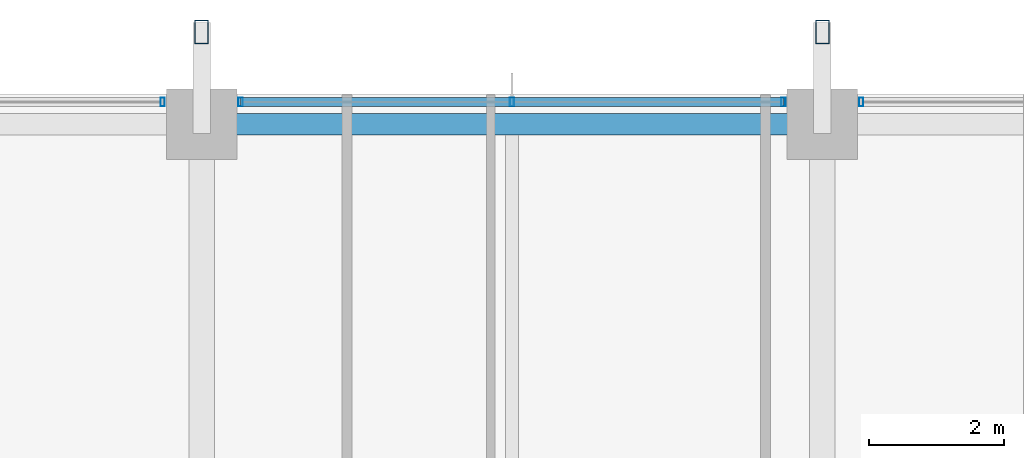
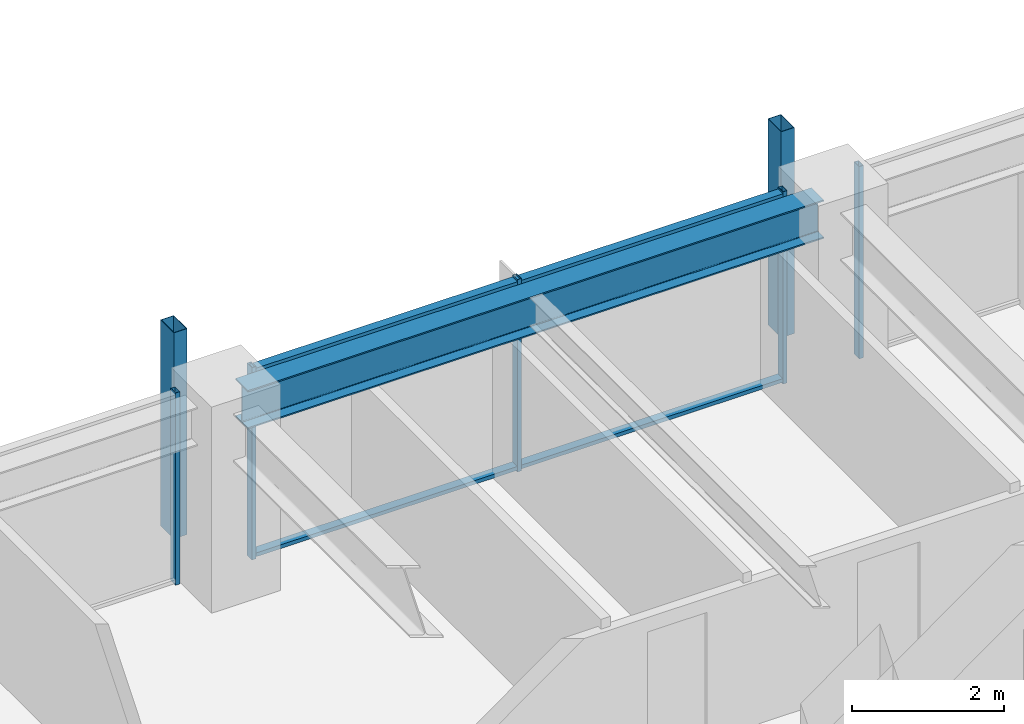
# One storey, part 23 of 38: 9 members, 1 beam, 3 elements without a shape of their own.
"""IFC4 building model written with IfcOpenShell, lengths in metres."""

from ifc_helpers import new_model, si_unit, direction, frame, origin, origin_2d, place, context, subcontext, project, spatial, hollow_rectangle, i_section, extrude, material, material_profile, profile_set, type_object, element, aggregate, save


model = new_model("IFC4")

# Units and contexts
model_context = context("Model", 3, precision=1e-05, world=origin(), true_north=direction((0.0, 1.0)))
body_context = subcontext(model_context, "Body", "Model", "MODEL_VIEW")
ifc_project = project(units=[si_unit("LENGTHUNIT", "METRE"), si_unit("AREAUNIT", "SQUARE_METRE"), si_unit("VOLUMEUNIT", "CUBIC_METRE"), si_unit("PLANEANGLEUNIT", "RADIAN"), si_unit("MASSUNIT", "GRAM", prefix="KILO")], contexts=[model_context])

# Site, building, storey
site_placement = place(None, origin())
site = spatial("IfcSite", under=ifc_project, at=site_placement, CompositionType="ELEMENT")
building_placement = place(site_placement, origin())
building = spatial("IfcBuilding", under=site, at=building_placement, Name="Kolvaren Belvedere", CompositionType="ELEMENT")
storey_placement = place(building_placement, frame((0.0, 0.0, 121.699951171875)))
storey = spatial("IfcBuildingStorey", under=building, at=storey_placement, Name="L35", CompositionType="ELEMENT", Elevation=121.699951171875)

# Beam
ifc_material_1 = material(Name="Structural steel ASTM A992 Grade 50", Category="steel")
ifc_material_profile_1 = material_profile(ifc_material_1, i_section(OverallWidth=0.324951171875, OverallDepth=0.615966796875, WebThickness=0.013916015625, FlangeThickness=0.021484375, FilletRadius=0.02001953125, at=origin_2d()), Name="W24X117")
ifc_profile_set_1 = profile_set([ifc_material_profile_1], Name="Structural steel ASTM A992 Grade 50")
beam_type = type_object("IfcBeamType", Name="BM-SPAN-W24X117", PredefinedType="SPANDREL", material=ifc_profile_set_1)
beam_placement = place(storey_placement, frame((4.36376953125, 18.64990234375, 2.77197265625), z_axis=(-1.0, 0.0, 0.0), x_axis=(0.0, -1.0, 0.0)))
element("IfcBeam", 1, at=beam_placement, inside=storey, type_object=beam_type, Name="L35 Perimeter Spandrel N3-N2", PredefinedType="SPANDREL", context=body_context, shape_type="SweptSolid", body=[
    extrude(i_section(OverallWidth=0.324951171875, OverallDepth=0.615966796875, WebThickness=0.013916015625, FlangeThickness=0.021484375, FilletRadius=0.02001953125, at=origin_2d()), origin(), (0.0, 0.0, 1.0), 8.7275390625),
])

# Curtain wall, member
ifc_material_2 = material(Name="Anodised pale-metal aluminium AA 6063-T6", Category="aluminium")
curtain_wall_type = type_object("IfcCurtainWallType", Name="CW-Z3-WAIST", PredefinedType="NOTDEFINED", material=ifc_material_2)
curtain_wall_1_placement = place(storey_placement, origin())
curtain_wall_1 = element("IfcCurtainWall", 2, at=curtain_wall_1_placement, inside=storey, type_object=curtain_wall_type, Name="L35 Unitised Curtain Wall FCW-L35-N-B1", PredefinedType="NOTDEFINED")
ifc_material_3 = material(Name="Anodised pale-metal aluminium AA 6063-T6", Category="aluminium")
ifc_material_profile_2 = material_profile(ifc_material_3, hollow_rectangle(XDim=0.06494140625, YDim=0.1298828125, WallThickness=0.00390625, at=origin_2d()), Name="ALU-MUL-130X65")
ifc_profile_set_2 = profile_set([ifc_material_profile_2], Name="Anodised pale-metal aluminium AA 6063-T6")
member_type_1 = type_object("IfcMemberType", Name="CW-MUL-130", PredefinedType="MULLION", material=ifc_profile_set_2)
member_1_placement = place(storey_placement, frame((-5.177490234375, 18.97998046875, 0.0), z_axis=(0.0, 0.0, 1.0), x_axis=(1.0, 0.0, 0.0)))
member_1 = element("IfcMember", 3, at=member_1_placement, type_object=member_type_1, Name="FCW-L35-N-B1 Unitised Mullion 3", PredefinedType="MULLION", context=body_context, shape_type="SweptSolid", body=[
    extrude(hollow_rectangle(XDim=0.06494140625, YDim=0.1298828125, WallThickness=0.00390625, at=origin_2d()), origin(), (0.0, 0.0, 1.0), 3.080078125),
])
aggregate(curtain_wall_1, [member_1])

# Curtain wall, members
curtain_wall_2_placement = place(storey_placement, origin())
curtain_wall_2 = element("IfcCurtainWall", 4, at=curtain_wall_2_placement, inside=storey, type_object=curtain_wall_type, Name="L35 Unitised Curtain Wall FCW-L35-N-B2", PredefinedType="NOTDEFINED")
member_2_placement = place(storey_placement, frame((-4.0224609375, 18.97998046875, 0.0), z_axis=(0.0, 0.0, 1.0), x_axis=(1.0, 0.0, 0.0)))
member_2 = element("IfcMember", 5, at=member_2_placement, type_object=member_type_1, Name="FCW-L35-N-B2 Unitised Mullion 1", PredefinedType="MULLION", context=body_context, shape_type="SweptSolid", body=[
    extrude(hollow_rectangle(XDim=0.06494140625, YDim=0.1298828125, WallThickness=0.00390625, at=origin_2d()), origin(), (0.0, 0.0, 1.0), 3.080078125),
])
member_3_placement = place(storey_placement, frame((0.0, 18.97998046875, 0.0), z_axis=(0.0, 0.0, 1.0), x_axis=(1.0, 0.0, 0.0)))
member_3 = element("IfcMember", 6, at=member_3_placement, type_object=member_type_1, Name="FCW-L35-N-B2 Unitised Mullion 2", PredefinedType="MULLION", context=body_context, shape_type="SweptSolid", body=[
    extrude(hollow_rectangle(XDim=0.06494140625, YDim=0.1298828125, WallThickness=0.00390625, at=origin_2d()), origin(), (0.0, 0.0, 1.0), 3.080078125),
])
member_4_placement = place(storey_placement, frame((4.0224609375, 18.97998046875, 0.0), z_axis=(0.0, 0.0, 1.0), x_axis=(1.0, 0.0, 0.0)))
member_4 = element("IfcMember", 7, at=member_4_placement, type_object=member_type_1, Name="FCW-L35-N-B2 Unitised Mullion 3", PredefinedType="MULLION", context=body_context, shape_type="SweptSolid", body=[
    extrude(hollow_rectangle(XDim=0.06494140625, YDim=0.1298828125, WallThickness=0.00390625, at=origin_2d()), origin(), (0.0, 0.0, 1.0), 3.080078125),
])

# Curtain wall, member
curtain_wall_3_placement = place(storey_placement, origin())
curtain_wall_3 = element("IfcCurtainWall", 8, at=curtain_wall_3_placement, inside=storey, type_object=curtain_wall_type, Name="L35 Unitised Curtain Wall FCW-L35-N-B3", PredefinedType="NOTDEFINED")
member_5_placement = place(storey_placement, frame((5.177490234375, 18.97998046875, 0.0), z_axis=(0.0, 0.0, 1.0), x_axis=(1.0, 0.0, 0.0)))
member_5 = element("IfcMember", 9, at=member_5_placement, type_object=member_type_1, Name="FCW-L35-N-B3 Unitised Mullion 1", PredefinedType="MULLION", context=body_context, shape_type="SweptSolid", body=[
    extrude(hollow_rectangle(XDim=0.06494140625, YDim=0.1298828125, WallThickness=0.00390625, at=origin_2d()), origin(), (0.0, 0.0, 1.0), 3.080078125),
])
aggregate(curtain_wall_3, [member_5])

# Member
ifc_material_4 = material(Name="Anodised pale-metal aluminium AA 6063-T6", Category="aluminium")
ifc_material_profile_3 = material_profile(ifc_material_4, hollow_rectangle(XDim=0.06005859375, YDim=0.1298828125, WallThickness=0.00390625, at=origin_2d()), Name="ALU-TRN-130X60")
ifc_profile_set_3 = profile_set([ifc_material_profile_3], Name="Anodised pale-metal aluminium AA 6063-T6")
member_type_2 = type_object("IfcMemberType", Name="CW-TRN-130", PredefinedType="USERDEFINED", material=ifc_profile_set_3)
member_6_placement = place(storey_placement, frame((-4.0224609375, 18.97998046875, 0.06005859375), z_axis=(1.0, 0.0, 0.0), x_axis=(0.0, 0.0, 1.0)))
member_6 = element("IfcMember", 10, at=member_6_placement, type_object=member_type_2, Name="FCW-L35-N-B2 Sill Transom", ObjectType="TRANSOM", PredefinedType="USERDEFINED", context=body_context, shape_type="SweptSolid", body=[
    extrude(hollow_rectangle(XDim=0.06005859375, YDim=0.1298828125, WallThickness=0.00390625, at=origin_2d()), origin(), (0.0, 0.0, 1.0), 8.044921875),
])

member_7_placement = place(storey_placement, frame((-4.0224609375, 18.97998046875, 3.02001953125), z_axis=(1.0, 0.0, 0.0), x_axis=(0.0, 0.0, 1.0)))
member_7 = element("IfcMember", 11, at=member_7_placement, type_object=member_type_2, Name="FCW-L35-N-B2 Head Transom", ObjectType="TRANSOM", PredefinedType="USERDEFINED", context=body_context, shape_type="SweptSolid", body=[
    extrude(hollow_rectangle(XDim=0.06005859375, YDim=0.1298828125, WallThickness=0.00390625, at=origin_2d()), origin(), (0.0, 0.0, 1.0), 8.044921875),
])

aggregate(curtain_wall_2, [member_2, member_3, member_4, member_6, member_7])

# Members
ifc_material_5 = material(Name="Anodised pale-metal aluminium AA 6063-T6", Category="aluminium")
ifc_material_profile_4 = material_profile(ifc_material_5, hollow_rectangle(XDim=0.199951171875, YDim=0.35009765625, WallThickness=0.007568359375, at=origin_2d()), Name="ALU-PF-350X200")
ifc_profile_set_4 = profile_set([ifc_material_profile_4], Name="Anodised pale-metal aluminium AA 6063-T6")
member_type_3 = type_object("IfcMemberType", Name="PF-FRAME-350", PredefinedType="USERDEFINED", material=ifc_profile_set_4)
for number, where, z_axis, x_axis, name in (
    (12, (-4.60009765625, 20.02001953125, 0.0), (0.0, 0.0, 1.0), (1.0, 0.0, 0.0), "L35 Outboard Picture-Frame Vertical N1"),
    (13, (4.60009765625, 20.02001953125, 0.0), (0.0, 0.0, 1.0), (1.0, 0.0, 0.0), "L35 Outboard Picture-Frame Vertical N2"),
):
    element("IfcMember", number, at=place(storey_placement, frame(where, z_axis=z_axis, x_axis=x_axis)), inside=storey, type_object=member_type_3, Name=name, ObjectType="PICTURE FRAME FIN", PredefinedType="USERDEFINED", context=body_context, shape_type="SweptSolid", body=[
        extrude(hollow_rectangle(XDim=0.199951171875, YDim=0.35009765625, WallThickness=0.007568359375, at=origin_2d()), origin(), (0.0, 0.0, 1.0), 3.300048828125),
    ])

save(model, "model.ifc")
